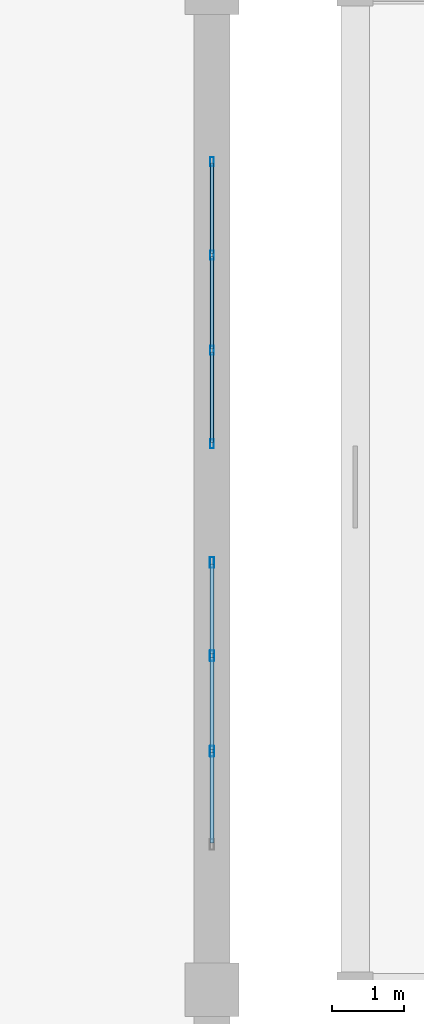
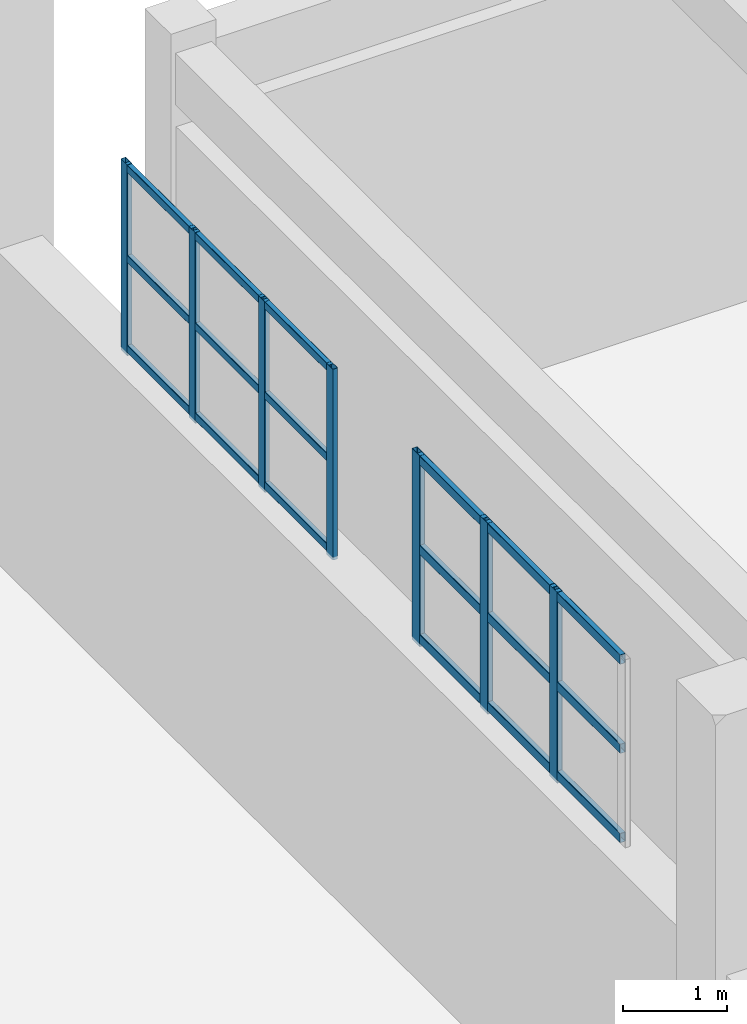
# One storey, part 138 of 197: 25 members, 2 elements without a shape of their own.
"""IFC4 building model written with IfcOpenShell, lengths in metres."""

from ifc_helpers import new_model, si_unit, derived_unit, direction, frame, origin, origin_2d, place, context, subcontext, project, spatial, hollow_rectangle, extrude, material, layer, layer_set, material_profile, profile_set, type_object, element, aggregate, save


model = new_model("IFC4")

# Units and contexts
model_context = context("Model", 3, precision=1e-05, world=origin(), true_north=direction((0.0, 1.0)))
body_context = subcontext(model_context, "Body", "Model", "MODEL_VIEW")
ifc_project = project(units=[si_unit("LENGTHUNIT", "METRE"), si_unit("AREAUNIT", "SQUARE_METRE"), si_unit("VOLUMEUNIT", "CUBIC_METRE"), si_unit("PLANEANGLEUNIT", "RADIAN"), si_unit("MASSUNIT", "GRAM", prefix="KILO"), derived_unit("THERMALTRANSMITTANCEUNIT", [(si_unit("POWERUNIT", "WATT"), 1), (si_unit("LENGTHUNIT", "METRE"), -2), (si_unit("THERMODYNAMICTEMPERATUREUNIT", "KELVIN"), -1)])], contexts=[model_context])

# Site, building, storey
site_placement = place(None, origin())
site = spatial("IfcSite", under=ifc_project, at=site_placement, CompositionType="ELEMENT")
building_placement = place(site_placement, origin())
building = spatial("IfcBuilding", under=site, at=building_placement, Name="Almenara Railside Exhibition Hall", CompositionType="ELEMENT")
storey_placement = place(building_placement, frame((0.0, 0.0, 5.39990234375)))
storey = spatial("IfcBuildingStorey", under=building, at=storey_placement, Name="L01", CompositionType="ELEMENT", Elevation=5.39990234375)

# Curtain wall, members
ifc_material_1 = material(Name="Bronze-anodised aluminium and low-E double glazing", Category="aluminium")
ifc_layer = layer(ifc_material_1, 0.179931640625, Name="Bronze-anodised aluminium and low-E double glazing")
ifc_layer_set = layer_set([ifc_layer], Name="Bronze-anodised aluminium and low-E double glazing")
curtain_wall_type = type_object("IfcCurtainWallType", Name="East Hall Clerestory Curtain Wall 4000x2100", PredefinedType="NOTDEFINED", material=ifc_layer_set)
curtain_wall_1_placement = place(storey_placement, origin())
curtain_wall_1 = element("IfcCurtainWall", 1, at=curtain_wall_1_placement, inside=storey, type_object=curtain_wall_type, Name="Curtain wall CW-CL4-074", PredefinedType="NOTDEFINED")
ifc_material_2 = material(Name="Bronze-anodised aluminium", Category="aluminium")
ifc_material_profile_1 = material_profile(ifc_material_2, hollow_rectangle(XDim=0.054931640625, YDim=0.125, WallThickness=0.0029296875, InnerFilletRadius=0.0029296875, OuterFilletRadius=0.006103515625, at=origin_2d()), Name="ALU-MUL 55x125x3")
ifc_profile_set_1 = profile_set([ifc_material_profile_1], Name="Bronze-anodised aluminium")
member_type_1 = type_object("IfcMemberType", Name="Curtain Wall Mullion 55x125x3", PredefinedType="MULLION", material=ifc_profile_set_1)
member_1_placement = place(storey_placement, frame((192.0, 111.62744140625, 3.614990234375), z_axis=(0.0, 0.0, 1.0), x_axis=(-1.0, 0.0, 0.0)))
member_1 = element("IfcMember", 2, at=member_1_placement, type_object=member_type_1, Name="CW-CL4-074 mullion 1", PredefinedType="MULLION", context=body_context, shape_type="SweptSolid", body=[
    extrude(hollow_rectangle(XDim=0.054931640625, YDim=0.125, WallThickness=0.0029296875, InnerFilletRadius=0.0029296875, OuterFilletRadius=0.006103515625, at=origin_2d()), origin(), (0.0, 0.0, 1.0), 2.235107421875),
])
member_2_placement = place(storey_placement, frame((192.0, 112.933349609375, 3.614990234375), z_axis=(0.0, 0.0, 1.0), x_axis=(-1.0, 0.0, 0.0)))
member_2 = element("IfcMember", 3, at=member_2_placement, type_object=member_type_1, Name="CW-CL4-074 mullion 2", PredefinedType="MULLION", context=body_context, shape_type="SweptSolid", body=[
    extrude(hollow_rectangle(XDim=0.054931640625, YDim=0.125, WallThickness=0.0029296875, InnerFilletRadius=0.0029296875, OuterFilletRadius=0.006103515625, at=origin_2d()), origin(), (0.0, 0.0, 1.0), 2.235107421875),
])
member_3_placement = place(storey_placement, frame((192.0, 114.2666015625, 3.614990234375), z_axis=(0.0, 0.0, 1.0), x_axis=(-1.0, 0.0, 0.0)))
member_3 = element("IfcMember", 4, at=member_3_placement, type_object=member_type_1, Name="CW-CL4-074 mullion 3", PredefinedType="MULLION", context=body_context, shape_type="SweptSolid", body=[
    extrude(hollow_rectangle(XDim=0.054931640625, YDim=0.125, WallThickness=0.0029296875, InnerFilletRadius=0.0029296875, OuterFilletRadius=0.006103515625, at=origin_2d()), origin(), (0.0, 0.0, 1.0), 2.235107421875),
])
member_4_placement = place(storey_placement, frame((192.0, 115.572509765625, 3.614990234375), z_axis=(0.0, 0.0, 1.0), x_axis=(-1.0, 0.0, 0.0)))
member_4 = element("IfcMember", 5, at=member_4_placement, type_object=member_type_1, Name="CW-CL4-074 mullion 4", PredefinedType="MULLION", context=body_context, shape_type="SweptSolid", body=[
    extrude(hollow_rectangle(XDim=0.054931640625, YDim=0.125, WallThickness=0.0029296875, InnerFilletRadius=0.0029296875, OuterFilletRadius=0.006103515625, at=origin_2d()), origin(), (0.0, 0.0, 1.0), 2.235107421875),
])

curtain_wall_2_placement = place(storey_placement, origin())
curtain_wall_2 = element("IfcCurtainWall", 6, at=curtain_wall_2_placement, inside=storey, type_object=curtain_wall_type, Name="Curtain wall CW-CL4-073", PredefinedType="NOTDEFINED")
ifc_material_profile_2 = material_profile(ifc_material_2, hollow_rectangle(XDim=0.06005859375, YDim=0.14990234375, WallThickness=0.00341796875, InnerFilletRadius=0.00341796875, OuterFilletRadius=0.007080078125, at=origin_2d()), Name="ALU-MUL 60x150x3.5")
ifc_profile_set_2 = profile_set([ifc_material_profile_2], Name="Bronze-anodised aluminium")
member_type_2 = type_object("IfcMemberType", Name="Curtain Wall Mullion 60x150x3.5", PredefinedType="MULLION", material=ifc_profile_set_2)
member_5_placement = place(storey_placement, frame((192.0, 107.333251953125, 3.614990234375), z_axis=(0.0, 0.0, 1.0), x_axis=(-1.0, 0.0, 0.0)))
member_5 = element("IfcMember", 7, at=member_5_placement, type_object=member_type_2, Name="CW-CL4-073 mullion 2", PredefinedType="MULLION", context=body_context, shape_type="SweptSolid", body=[
    extrude(hollow_rectangle(XDim=0.06005859375, YDim=0.14990234375, WallThickness=0.00341796875, InnerFilletRadius=0.00341796875, OuterFilletRadius=0.007080078125, at=origin_2d()), origin(), (0.0, 0.0, 1.0), 2.235107421875),
])
member_6_placement = place(storey_placement, frame((192.0, 108.666748046875, 3.614990234375), z_axis=(0.0, 0.0, 1.0), x_axis=(-1.0, 0.0, 0.0)))
member_6 = element("IfcMember", 8, at=member_6_placement, type_object=member_type_2, Name="CW-CL4-073 mullion 3", PredefinedType="MULLION", context=body_context, shape_type="SweptSolid", body=[
    extrude(hollow_rectangle(XDim=0.06005859375, YDim=0.14990234375, WallThickness=0.00341796875, InnerFilletRadius=0.00341796875, OuterFilletRadius=0.007080078125, at=origin_2d()), origin(), (0.0, 0.0, 1.0), 2.235107421875),
])
member_7_placement = place(storey_placement, frame((192.0, 109.969970703125, 3.614990234375), z_axis=(0.0, 0.0, 1.0), x_axis=(-1.0, 0.0, 0.0)))
member_7 = element("IfcMember", 9, at=member_7_placement, type_object=member_type_2, Name="CW-CL4-073 mullion 4", PredefinedType="MULLION", context=body_context, shape_type="SweptSolid", body=[
    extrude(hollow_rectangle(XDim=0.06005859375, YDim=0.14990234375, WallThickness=0.00341796875, InnerFilletRadius=0.00341796875, OuterFilletRadius=0.007080078125, at=origin_2d()), origin(), (0.0, 0.0, 1.0), 2.235107421875),
])

# Member
ifc_material_profile_3 = material_profile(ifc_material_2, hollow_rectangle(XDim=0.054931640625, YDim=0.090087890625, WallThickness=0.0029296875, InnerFilletRadius=0.0029296875, OuterFilletRadius=0.006103515625, at=origin_2d()), Name="ALU-TRN 55x90x3")
ifc_profile_set_3 = profile_set([ifc_material_profile_3], Name="Bronze-anodised aluminium")
member_type_3 = type_object("IfcMemberType", Name="Curtain Wall Transom 55x90x3", PredefinedType="USERDEFINED", material=ifc_profile_set_3)
member_8_placement = place(storey_placement, frame((192.0, 111.64697265625, 3.695068359375), z_axis=(0.0, 1.0, 0.0), x_axis=(-1.0, 0.0, 0.0)))
member_8 = element("IfcMember", 10, at=member_8_placement, type_object=member_type_3, Name="CW-CL4-074 transom 1.1", ObjectType="TRANSOM", PredefinedType="USERDEFINED", context=body_context, shape_type="SweptSolid", body=[
    extrude(hollow_rectangle(XDim=0.054931640625, YDim=0.090087890625, WallThickness=0.0029296875, InnerFilletRadius=0.0029296875, OuterFilletRadius=0.006103515625, at=origin_2d()), origin(), (0.0, 0.0, 1.0), 1.266845703125),
])

member_9_placement = place(storey_placement, frame((192.0, 111.64697265625, 4.75), z_axis=(0.0, 1.0, 0.0), x_axis=(-1.0, 0.0, 0.0)))
member_9 = element("IfcMember", 11, at=member_9_placement, type_object=member_type_3, Name="CW-CL4-074 transom 1.2", ObjectType="TRANSOM", PredefinedType="USERDEFINED", context=body_context, shape_type="SweptSolid", body=[
    extrude(hollow_rectangle(XDim=0.054931640625, YDim=0.090087890625, WallThickness=0.0029296875, InnerFilletRadius=0.0029296875, OuterFilletRadius=0.006103515625, at=origin_2d()), origin(), (0.0, 0.0, 1.0), 1.266845703125),
])

member_10_placement = place(storey_placement, frame((192.0, 111.64697265625, 5.80517578125), z_axis=(0.0, 1.0, 0.0), x_axis=(-1.0, 0.0, 0.0)))
member_10 = element("IfcMember", 12, at=member_10_placement, type_object=member_type_3, Name="CW-CL4-074 transom 1.3", ObjectType="TRANSOM", PredefinedType="USERDEFINED", context=body_context, shape_type="SweptSolid", body=[
    extrude(hollow_rectangle(XDim=0.054931640625, YDim=0.090087890625, WallThickness=0.0029296875, InnerFilletRadius=0.0029296875, OuterFilletRadius=0.006103515625, at=origin_2d()), origin(), (0.0, 0.0, 1.0), 1.266845703125),
])

member_11_placement = place(storey_placement, frame((192.0, 112.952880859375, 3.695068359375), z_axis=(0.0, 1.0, 0.0), x_axis=(-1.0, 0.0, 0.0)))
member_11 = element("IfcMember", 13, at=member_11_placement, type_object=member_type_3, Name="CW-CL4-074 transom 2.1", ObjectType="TRANSOM", PredefinedType="USERDEFINED", context=body_context, shape_type="SweptSolid", body=[
    extrude(hollow_rectangle(XDim=0.054931640625, YDim=0.090087890625, WallThickness=0.0029296875, InnerFilletRadius=0.0029296875, OuterFilletRadius=0.006103515625, at=origin_2d()), origin(), (0.0, 0.0, 1.0), 1.294189453125),
])

member_12_placement = place(storey_placement, frame((192.0, 112.952880859375, 4.75), z_axis=(0.0, 1.0, 0.0), x_axis=(-1.0, 0.0, 0.0)))
member_12 = element("IfcMember", 14, at=member_12_placement, type_object=member_type_3, Name="CW-CL4-074 transom 2.2", ObjectType="TRANSOM", PredefinedType="USERDEFINED", context=body_context, shape_type="SweptSolid", body=[
    extrude(hollow_rectangle(XDim=0.054931640625, YDim=0.090087890625, WallThickness=0.0029296875, InnerFilletRadius=0.0029296875, OuterFilletRadius=0.006103515625, at=origin_2d()), origin(), (0.0, 0.0, 1.0), 1.294189453125),
])

member_13_placement = place(storey_placement, frame((192.0, 112.952880859375, 5.80517578125), z_axis=(0.0, 1.0, 0.0), x_axis=(-1.0, 0.0, 0.0)))
member_13 = element("IfcMember", 15, at=member_13_placement, type_object=member_type_3, Name="CW-CL4-074 transom 2.3", ObjectType="TRANSOM", PredefinedType="USERDEFINED", context=body_context, shape_type="SweptSolid", body=[
    extrude(hollow_rectangle(XDim=0.054931640625, YDim=0.090087890625, WallThickness=0.0029296875, InnerFilletRadius=0.0029296875, OuterFilletRadius=0.006103515625, at=origin_2d()), origin(), (0.0, 0.0, 1.0), 1.294189453125),
])

member_14_placement = place(storey_placement, frame((192.0, 114.2861328125, 3.695068359375), z_axis=(0.0, 1.0, 0.0), x_axis=(-1.0, 0.0, 0.0)))
member_14 = element("IfcMember", 16, at=member_14_placement, type_object=member_type_3, Name="CW-CL4-074 transom 3.1", ObjectType="TRANSOM", PredefinedType="USERDEFINED", context=body_context, shape_type="SweptSolid", body=[
    extrude(hollow_rectangle(XDim=0.054931640625, YDim=0.090087890625, WallThickness=0.0029296875, InnerFilletRadius=0.0029296875, OuterFilletRadius=0.006103515625, at=origin_2d()), origin(), (0.0, 0.0, 1.0), 1.266845703125),
])

member_15_placement = place(storey_placement, frame((192.0, 114.2861328125, 4.75), z_axis=(0.0, 1.0, 0.0), x_axis=(-1.0, 0.0, 0.0)))
member_15 = element("IfcMember", 17, at=member_15_placement, type_object=member_type_3, Name="CW-CL4-074 transom 3.2", ObjectType="TRANSOM", PredefinedType="USERDEFINED", context=body_context, shape_type="SweptSolid", body=[
    extrude(hollow_rectangle(XDim=0.054931640625, YDim=0.090087890625, WallThickness=0.0029296875, InnerFilletRadius=0.0029296875, OuterFilletRadius=0.006103515625, at=origin_2d()), origin(), (0.0, 0.0, 1.0), 1.266845703125),
])

member_16_placement = place(storey_placement, frame((192.0, 114.2861328125, 5.80517578125), z_axis=(0.0, 1.0, 0.0), x_axis=(-1.0, 0.0, 0.0)))
member_16 = element("IfcMember", 18, at=member_16_placement, type_object=member_type_3, Name="CW-CL4-074 transom 3.3", ObjectType="TRANSOM", PredefinedType="USERDEFINED", context=body_context, shape_type="SweptSolid", body=[
    extrude(hollow_rectangle(XDim=0.054931640625, YDim=0.090087890625, WallThickness=0.0029296875, InnerFilletRadius=0.0029296875, OuterFilletRadius=0.006103515625, at=origin_2d()), origin(), (0.0, 0.0, 1.0), 1.266845703125),
])

aggregate(curtain_wall_1, [member_1, member_2, member_3, member_4, member_8, member_9, member_10, member_11, member_12, member_13, member_14, member_15, member_16])

ifc_material_profile_4 = material_profile(ifc_material_2, hollow_rectangle(XDim=0.06005859375, YDim=0.110107421875, WallThickness=0.0029296875, InnerFilletRadius=0.0029296875, OuterFilletRadius=0.006103515625, at=origin_2d()), Name="ALU-TRN 60x110x3")
ifc_profile_set_4 = profile_set([ifc_material_profile_4], Name="Bronze-anodised aluminium")
member_type_4 = type_object("IfcMemberType", Name="Curtain Wall Transom 60x110x3", PredefinedType="USERDEFINED", material=ifc_profile_set_4)
member_17_placement = place(storey_placement, frame((192.0, 106.052001953125, 3.705078125), z_axis=(0.0, 1.0, 0.0), x_axis=(-1.0, 0.0, 0.0)))
member_17 = element("IfcMember", 19, at=member_17_placement, type_object=member_type_4, Name="CW-CL4-073 transom 1.1", ObjectType="TRANSOM", PredefinedType="USERDEFINED", context=body_context, shape_type="SweptSolid", body=[
    extrude(hollow_rectangle(XDim=0.06005859375, YDim=0.110107421875, WallThickness=0.0029296875, InnerFilletRadius=0.0029296875, OuterFilletRadius=0.006103515625, at=origin_2d()), origin(), (0.0, 0.0, 1.0), 1.25927734375),
])

member_18_placement = place(storey_placement, frame((192.0, 106.052001953125, 4.75), z_axis=(0.0, 1.0, 0.0), x_axis=(-1.0, 0.0, 0.0)))
member_18 = element("IfcMember", 20, at=member_18_placement, type_object=member_type_4, Name="CW-CL4-073 transom 1.2", ObjectType="TRANSOM", PredefinedType="USERDEFINED", context=body_context, shape_type="SweptSolid", body=[
    extrude(hollow_rectangle(XDim=0.06005859375, YDim=0.110107421875, WallThickness=0.0029296875, InnerFilletRadius=0.0029296875, OuterFilletRadius=0.006103515625, at=origin_2d()), origin(), (0.0, 0.0, 1.0), 1.25927734375),
])

member_19_placement = place(storey_placement, frame((192.0, 106.052001953125, 5.795166015625), z_axis=(0.0, 1.0, 0.0), x_axis=(-1.0, 0.0, 0.0)))
member_19 = element("IfcMember", 21, at=member_19_placement, type_object=member_type_4, Name="CW-CL4-073 transom 1.3", ObjectType="TRANSOM", PredefinedType="USERDEFINED", context=body_context, shape_type="SweptSolid", body=[
    extrude(hollow_rectangle(XDim=0.06005859375, YDim=0.110107421875, WallThickness=0.0029296875, InnerFilletRadius=0.0029296875, OuterFilletRadius=0.006103515625, at=origin_2d()), origin(), (0.0, 0.0, 1.0), 1.25927734375),
])

member_20_placement = place(storey_placement, frame((192.0, 107.355224609375, 3.705078125), z_axis=(0.0, 1.0, 0.0), x_axis=(-1.0, 0.0, 0.0)))
member_20 = element("IfcMember", 22, at=member_20_placement, type_object=member_type_4, Name="CW-CL4-073 transom 2.1", ObjectType="TRANSOM", PredefinedType="USERDEFINED", context=body_context, shape_type="SweptSolid", body=[
    extrude(hollow_rectangle(XDim=0.06005859375, YDim=0.110107421875, WallThickness=0.0029296875, InnerFilletRadius=0.0029296875, OuterFilletRadius=0.006103515625, at=origin_2d()), origin(), (0.0, 0.0, 1.0), 1.28955078125),
])

member_21_placement = place(storey_placement, frame((192.0, 107.355224609375, 4.75), z_axis=(0.0, 1.0, 0.0), x_axis=(-1.0, 0.0, 0.0)))
member_21 = element("IfcMember", 23, at=member_21_placement, type_object=member_type_4, Name="CW-CL4-073 transom 2.2", ObjectType="TRANSOM", PredefinedType="USERDEFINED", context=body_context, shape_type="SweptSolid", body=[
    extrude(hollow_rectangle(XDim=0.06005859375, YDim=0.110107421875, WallThickness=0.0029296875, InnerFilletRadius=0.0029296875, OuterFilletRadius=0.006103515625, at=origin_2d()), origin(), (0.0, 0.0, 1.0), 1.28955078125),
])

member_22_placement = place(storey_placement, frame((192.0, 107.355224609375, 5.795166015625), z_axis=(0.0, 1.0, 0.0), x_axis=(-1.0, 0.0, 0.0)))
member_22 = element("IfcMember", 24, at=member_22_placement, type_object=member_type_4, Name="CW-CL4-073 transom 2.3", ObjectType="TRANSOM", PredefinedType="USERDEFINED", context=body_context, shape_type="SweptSolid", body=[
    extrude(hollow_rectangle(XDim=0.06005859375, YDim=0.110107421875, WallThickness=0.0029296875, InnerFilletRadius=0.0029296875, OuterFilletRadius=0.006103515625, at=origin_2d()), origin(), (0.0, 0.0, 1.0), 1.28955078125),
])

member_23_placement = place(storey_placement, frame((192.0, 108.688720703125, 3.705078125), z_axis=(0.0, 1.0, 0.0), x_axis=(-1.0, 0.0, 0.0)))
member_23 = element("IfcMember", 25, at=member_23_placement, type_object=member_type_4, Name="CW-CL4-073 transom 3.1", ObjectType="TRANSOM", PredefinedType="USERDEFINED", context=body_context, shape_type="SweptSolid", body=[
    extrude(hollow_rectangle(XDim=0.06005859375, YDim=0.110107421875, WallThickness=0.0029296875, InnerFilletRadius=0.0029296875, OuterFilletRadius=0.006103515625, at=origin_2d()), origin(), (0.0, 0.0, 1.0), 1.25927734375),
])

member_24_placement = place(storey_placement, frame((192.0, 108.688720703125, 4.75), z_axis=(0.0, 1.0, 0.0), x_axis=(-1.0, 0.0, 0.0)))
member_24 = element("IfcMember", 26, at=member_24_placement, type_object=member_type_4, Name="CW-CL4-073 transom 3.2", ObjectType="TRANSOM", PredefinedType="USERDEFINED", context=body_context, shape_type="SweptSolid", body=[
    extrude(hollow_rectangle(XDim=0.06005859375, YDim=0.110107421875, WallThickness=0.0029296875, InnerFilletRadius=0.0029296875, OuterFilletRadius=0.006103515625, at=origin_2d()), origin(), (0.0, 0.0, 1.0), 1.25927734375),
])

member_25_placement = place(storey_placement, frame((192.0, 108.688720703125, 5.795166015625), z_axis=(0.0, 1.0, 0.0), x_axis=(-1.0, 0.0, 0.0)))
member_25 = element("IfcMember", 27, at=member_25_placement, type_object=member_type_4, Name="CW-CL4-073 transom 3.3", ObjectType="TRANSOM", PredefinedType="USERDEFINED", context=body_context, shape_type="SweptSolid", body=[
    extrude(hollow_rectangle(XDim=0.06005859375, YDim=0.110107421875, WallThickness=0.0029296875, InnerFilletRadius=0.0029296875, OuterFilletRadius=0.006103515625, at=origin_2d()), origin(), (0.0, 0.0, 1.0), 1.25927734375),
])

aggregate(curtain_wall_2, [member_5, member_6, member_7, member_17, member_18, member_19, member_20, member_21, member_22, member_23, member_24, member_25])

save(model, "model.ifc")
